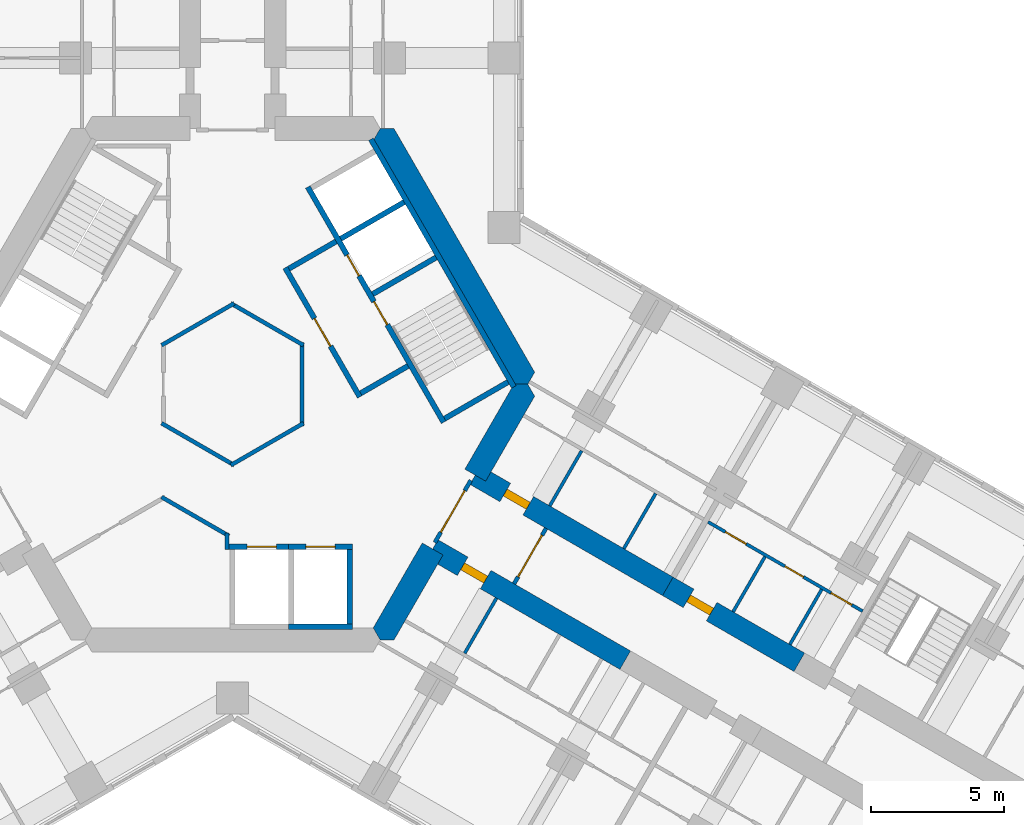
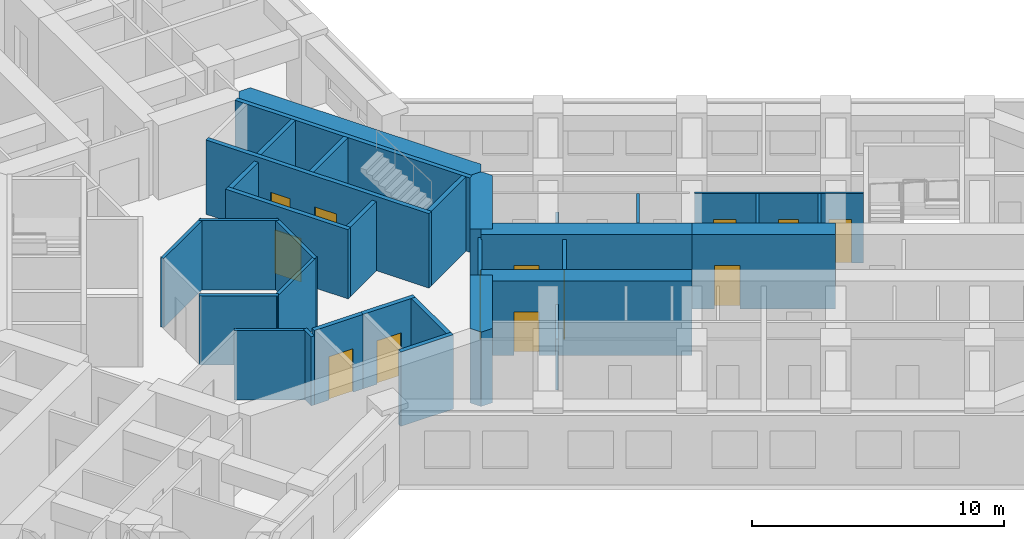
# One storey, part 15 of 20: 33 walls, 13 doors, 13 openings.
"""IFC4 building model written with IfcOpenShell, lengths in metres."""

from ifc_helpers import new_model, si_unit, direction, frame, frame_2d, origin, place, context, subcontext, project, spatial, polyline, rectangle, outline, extrude, material, layer, layer_set, type_object, element, fill, save


model = new_model("IFC4")

# Units and contexts
model_context = context("Model", 3, precision=1e-05, world=origin(), true_north=direction((0.0, 1.0)))
body_context = subcontext(model_context, "Body", "Model", "MODEL_VIEW")
ifc_project = project(units=[si_unit("LENGTHUNIT", "METRE"), si_unit("AREAUNIT", "SQUARE_METRE"), si_unit("VOLUMEUNIT", "CUBIC_METRE"), si_unit("PLANEANGLEUNIT", "RADIAN"), si_unit("MASSUNIT", "GRAM", prefix="KILO")], contexts=[model_context])

# Site, building, storey
site_placement = place(None, origin())
site = spatial("IfcSite", under=ifc_project, at=site_placement, CompositionType="ELEMENT")
building_placement = place(site_placement, origin())
building = spatial("IfcBuilding", under=site, at=building_placement, Name="Kosmar Iwan School Tower", CompositionType="ELEMENT")
storey_placement = place(building_placement, frame((0.0, 0.0, 123.800048828125)))
storey = spatial("IfcBuildingStorey", under=building, at=storey_placement, Name="L30", CompositionType="ELEMENT", Elevation=123.800048828125)

# Walls
ifc_material_1 = material(Name="Gypsum board on steel studs, fire-rated", Category="steel")
ifc_layer_1 = layer(ifc_material_1, 0.14990234375)
ifc_layer_set_1 = layer_set([ifc_layer_1], Name="Core room partition 150")
wall_type_1 = type_object("IfcWallType", Name="Core room partition 150", PredefinedType="PARTITIONING", material=ifc_layer_set_1)
wall_1_placement = place(storey_placement, frame((-2.6650390625, -4.23486328125, 0.0), z_axis=(0.0, 0.0, 1.0), x_axis=(0.866028329077, -0.499994933211, 0.0)))
element("IfcWall", 1, at=wall_1_placement, inside=storey, type_object=wall_type_1, Name="Core room partition L30-CW6", PredefinedType="PARTITIONING", context=body_context, shape_type="SweptSolid", body=[
    extrude(rectangle(XDim=2.92138671875, YDim=0.14990234375, at=frame_2d((1.460693359375, 0.0))), origin(), (0.0, 0.0, 1.0), 3.349853515625),
])
wall_2_placement = place(storey_placement, frame((-0.199951171875, -5.5830078125, 0.0), z_axis=(0.0, 0.0, 1.0), x_axis=(0.0, -1.0, 0.0)))
element("IfcWall", 2, at=wall_2_placement, inside=storey, type_object=wall_type_1, Name="Core room partition L30-CW7", PredefinedType="PARTITIONING", context=body_context, shape_type="SweptSolid", body=[
    extrude(rectangle(XDim=0.616943359375, YDim=0.14990234375, at=frame_2d((0.30859375, 0.0))), origin(), (0.0, 0.0, 1.0), 3.349853515625),
])
for number, where, z_axis, x_axis, name in (
    (3, (2.6650390625, -1.463623046875, 0.0), (0.0, 0.0, 1.0), (-0.866023080072, -0.500004024767, 0.0), "Core room partition L30-CW8"),
    (4, (0.06494140625, -3.039794921875, 0.0), (0.0, 0.0, 1.0), (-0.866023080072, 0.500004024767, 0.0), "Core room partition L30-CW9"),
    (5, (-2.6650390625, 1.463623046875, 0.0), (0.0, 0.0, 1.0), (0.866023080072, 0.500004024767, 0.0), "Core room partition L30-CW11"),
    (6, (-0.06494140625, 3.039794921875, 0.0), (0.0, 0.0, 1.0), (0.866023080072, -0.500004024767, 0.0), "Core room partition L30-CW12"),
    (7, (2.60009765625, 1.576171875, 0.0), (0.0, 0.0, 1.0), (0.0, -1.0, 0.0), "Core room partition L30-CW13"),
):
    element("IfcWall", number, at=place(storey_placement, frame(where, z_axis=z_axis, x_axis=x_axis)), inside=storey, type_object=wall_type_1, Name=name, PredefinedType="PARTITIONING", context=body_context, shape_type="SweptSolid", body=[
        extrude(rectangle(XDim=3.15234375, YDim=0.14990234375, at=frame_2d((1.576171875, 0.0))), origin(), (0.0, 0.0, 1.0), 3.349853515625),
    ])
ifc_material_2 = material(Name="Concrete C50/60", Category="concrete")
ifc_layer_2 = layer(ifc_material_2, 0.89990234375)
ifc_layer_set_2 = layer_set([ifc_layer_2], Name="Core wall 900")
wall_type_2 = type_object("IfcWallType", Name="Core wall 900", PredefinedType="SHEAR", material=ifc_layer_set_2)
wall_3_placement = place(storey_placement, origin())
element("IfcWall", 8, at=wall_3_placement, inside=storey, type_object=wall_type_2, Name="Core wall F030", PredefinedType="SHEAR", context=body_context, shape_type="SweptSolid", body=[
    extrude(outline(polyline([(10.5654296875, 0.0), (11.085205078125, 0.0), (11.344970703125, 0.449951171875), (6.062255859375, 9.60009765625), (5.54248046875, 9.60009765625), (5.28271484375, 9.14990234375), (10.5654296875, 0.0)])), origin(), (0.0, 0.0, 1.0), 3.599853515625),
])
wall_4_placement = place(storey_placement, origin())
element("IfcWall", 9, at=wall_4_placement, inside=storey, type_object=wall_type_2, Name="Core wall F330a", PredefinedType="SHEAR", context=body_context, shape_type="SweptSolid", body=[
    extrude(outline(polyline([(5.54248046875, -9.60009765625), (6.062255859375, -9.60009765625), (7.903564453125, -6.41064453125), (7.1240234375, -5.960693359375), (5.28271484375, -9.14990234375), (5.54248046875, -9.60009765625)])), origin(), (0.0, 0.0, 1.0), 3.599853515625),
])
wall_5_placement = place(storey_placement, origin())
element("IfcWall", 10, at=wall_5_placement, inside=storey, type_object=wall_type_2, Name="Core wall F330b", PredefinedType="SHEAR", context=body_context, shape_type="SweptSolid", body=[
    extrude(outline(polyline([(9.503662109375, -3.639404296875), (11.344970703125, -0.449951171875), (11.085205078125, 0.0), (10.5654296875, 0.0), (8.72412109375, -3.189453125), (9.503662109375, -3.639404296875)])), origin(), (0.0, 0.0, 1.0), 3.599853515625),
])

# Wall, opening, door
ifc_material_3 = material(Name="Concrete C50/60", Category="concrete")
ifc_layer_3 = layer(ifc_material_3, 0.800048828125)
ifc_layer_set_3 = layer_set([ifc_layer_3], Name="Corridor buttress wall 800")
wall_type_3 = type_object("IfcWallType", Name="Corridor buttress wall 800", PredefinedType="SHEAR", material=ifc_layer_set_3)
wall_6_placement = place(storey_placement, frame((9.11376953125, -3.414306640625, 0.0), z_axis=(0.0, 0.0, 1.0), x_axis=(0.866026859388, -0.499997478812, 0.0)))
wall_6 = element("IfcWall", 11, at=wall_6_placement, inside=storey, type_object=wall_type_3, Name="Corridor wall CL", PredefinedType="SHEAR", context=body_context, shape_type="SweptSolid", body=[
    extrude(rectangle(XDim=8.35009765625, YDim=0.800048828125, at=frame_2d((4.175048828125, 0.0))), origin(), (0.0, 0.0, 1.0), 3.599853515625),
])
opening_1_placement = place(wall_6_placement, frame((1.300048828125, 0.0, 0.0)))
opening_1 = element("IfcOpeningElement", 12, at=opening_1_placement, cuts=wall_6, Name="Opening D1", PredefinedType="OPENING", context=body_context, shape_type="SweptSolid", body=[
    extrude(rectangle(XDim=1.0, YDim=2.10009765625, at=frame_2d((0.5, 1.050048828125))), frame((0.0, 0.412109375, 0.0), z_axis=(0.0, -1.0, 0.0), x_axis=(1.0, 0.0, 0.0)), (0.0, 0.0, 1.0), 0.823974609375),
])
ifc_material_4 = material(Name="Timber fire door in steel frame", Category="steel")
door_type_1 = type_object("IfcDoorType", Name="Flat entrance door 1000x2100", OperationType="SINGLE_SWING_LEFT", PredefinedType="DOOR", material=ifc_material_4)
door_1_placement = place(opening_1_placement, origin())
door_1 = element("IfcDoor", 13, at=door_1_placement, inside=storey, type_object=door_type_1, Name="Flat L30-CL1 entrance door", OperationType="SINGLE_SWING_RIGHT", OverallHeight=2.10009765625, OverallWidth=1.0, PredefinedType="DOOR", context=body_context, shape_type="SweptSolid", body=[
    extrude(rectangle(XDim=1.0, YDim=2.10009765625, at=frame_2d((0.5, 1.050048828125))), frame((0.0, 0.14990234375, 0.0), z_axis=(0.0, -1.0, 0.0), x_axis=(1.0, 0.0, 0.0)), (0.0, 0.0, 1.0), 0.300048828125),
])
fill(opening_1, door_1)

wall_7_placement = place(storey_placement, frame((16.34521484375, -7.58935546875, 0.0), z_axis=(0.0, 0.0, 1.0), x_axis=(0.866015111908, -0.50001782563, 0.0)))
wall_7 = element("IfcWall", 14, at=wall_7_placement, inside=storey, type_object=wall_type_3, Name="Corridor wall CL bay 2", PredefinedType="SHEAR", context=body_context, shape_type="SweptSolid", body=[
    extrude(rectangle(XDim=5.699951171875, YDim=0.800048828125, at=frame_2d((2.85009765625, 0.0))), origin(), (0.0, 0.0, 1.0), 3.599853515625),
])
opening_2_placement = place(wall_7_placement, frame((0.89990234375, 0.0, 0.0)))
opening_2 = element("IfcOpeningElement", 15, at=opening_2_placement, cuts=wall_7, Name="Opening D1", PredefinedType="OPENING", context=body_context, shape_type="SweptSolid", body=[
    extrude(rectangle(XDim=1.0, YDim=2.10009765625, at=frame_2d((0.5, 1.050048828125))), frame((0.0, 0.412109375, 0.0), z_axis=(0.0, -1.0, 0.0), x_axis=(1.0, 0.0, 0.0)), (0.0, 0.0, 1.0), 0.823974609375),
])
door_2_placement = place(opening_2_placement, origin())
door_2 = element("IfcDoor", 16, at=door_2_placement, inside=storey, type_object=door_type_1, Name="Flat L30-CL2 entrance door", OperationType="SINGLE_SWING_RIGHT", OverallHeight=2.10009765625, OverallWidth=1.0, PredefinedType="DOOR", context=body_context, shape_type="SweptSolid", body=[
    extrude(rectangle(XDim=1.0, YDim=2.10009765625, at=frame_2d((0.5, 1.050048828125))), frame((0.0, 0.14990234375, 0.0), z_axis=(0.0, -1.0, 0.0), x_axis=(1.0, 0.0, 0.0)), (0.0, 0.0, 1.0), 0.300048828125),
])
fill(opening_2, door_2)

wall_8_placement = place(storey_placement, frame((7.513916015625, -6.185546875, 0.0), z_axis=(0.0, 0.0, 1.0), x_axis=(0.866019549707, -0.500010139422, 0.0)))
wall_8 = element("IfcWall", 17, at=wall_8_placement, inside=storey, type_object=wall_type_3, Name="Corridor wall CR", PredefinedType="SHEAR", context=body_context, shape_type="SweptSolid", body=[
    extrude(rectangle(XDim=8.349853515625, YDim=0.800048828125, at=frame_2d((4.1748046875, 0.0))), origin(), (0.0, 0.0, 1.0), 3.599853515625),
])
opening_3_placement = place(wall_8_placement, frame((1.300048828125, 0.0, 0.0)))
opening_3 = element("IfcOpeningElement", 18, at=opening_3_placement, cuts=wall_8, Name="Opening D1", PredefinedType="OPENING", context=body_context, shape_type="SweptSolid", body=[
    extrude(rectangle(XDim=1.0, YDim=2.10009765625, at=frame_2d((0.5, 1.050048828125))), frame((0.0, 0.412109375, 0.0), z_axis=(0.0, -1.0, 0.0), x_axis=(1.0, 0.0, 0.0)), (0.0, 0.0, 1.0), 0.823974609375),
])
door_3_placement = place(opening_3_placement, origin())
door_3 = element("IfcDoor", 19, at=door_3_placement, inside=storey, type_object=door_type_1, Name="Flat L30-CR1 entrance door", OperationType="SINGLE_SWING_RIGHT", OverallHeight=2.10009765625, OverallWidth=1.0, PredefinedType="DOOR", context=body_context, shape_type="SweptSolid", body=[
    extrude(rectangle(XDim=1.0, YDim=2.10009765625, at=frame_2d((0.5, 1.050048828125))), frame((0.0, 0.14990234375, 0.0), z_axis=(0.0, -1.0, 0.0), x_axis=(1.0, 0.0, 0.0)), (0.0, 0.0, 1.0), 0.300048828125),
])
fill(opening_3, door_3)

ifc_material_5 = material(Name="Gypsum board on steel studs, fire-rated", Category="steel")
ifc_layer_4 = layer(ifc_material_5, 0.14990234375)
ifc_layer_set_4 = layer_set([ifc_layer_4], Name="Corridor end wall 150")
wall_type_4 = type_object("IfcWallType", Name="Corridor end wall 150", PredefinedType="PARTITIONING", material=ifc_layer_set_4)
wall_9_placement = place(storey_placement, frame((10.57177734375, -7.4892578125, 0.0), z_axis=(0.0, 0.0, 1.0), x_axis=(0.499957262057, 0.866050077142, 0.0)))
wall_9 = element("IfcWall", 20, at=wall_9_placement, inside=storey, type_object=wall_type_4, Name="Partition L30-C-HW", PredefinedType="PARTITIONING", context=body_context, shape_type="SweptSolid", body=[
    extrude(rectangle(XDim=2.400146484375, YDim=0.14990234375, at=frame_2d((1.2001953125, 0.0))), origin(), (0.0, 0.0, 1.0), 3.349853515625),
])
opening_4_placement = place(wall_9_placement, frame((0.300048828125, 0.0, 0.0)))
opening_4 = element("IfcOpeningElement", 21, at=opening_4_placement, cuts=wall_9, Name="Opening D9", PredefinedType="OPENING", context=body_context, shape_type="SweptSolid", body=[
    extrude(rectangle(XDim=1.800048828125, YDim=2.10009765625, at=frame_2d((0.89990234375, 1.050048828125))), frame((0.0, 0.0869140625, 0.0), z_axis=(0.0, -1.0, 0.0), x_axis=(1.0, 0.0, 0.0)), (0.0, 0.0, 1.0), 0.173828125),
])
ifc_material_6 = material(Name="Steel framed glazed smoke door", Category="steel")
door_type_2 = type_object("IfcDoorType", Name="Corridor smoke door pair 1800x2100", OperationType="DOUBLE_DOOR_DOUBLE_SWING", PredefinedType="DOOR", material=ifc_material_6)
door_4_placement = place(opening_4_placement, origin())
door_4 = element("IfcDoor", 22, at=door_4_placement, inside=storey, type_object=door_type_2, Name="Hashti vestibule smoke doors L30-C", OperationType="DOUBLE_DOOR_DOUBLE_SWING", OverallHeight=2.10009765625, OverallWidth=1.800048828125, PredefinedType="DOOR", context=body_context, shape_type="SweptSolid", body=[
    extrude(rectangle(XDim=1.800048828125, YDim=2.10009765625, at=frame_2d((0.89990234375, 1.050048828125))), frame((0.0, 0.02490234375, 0.0), z_axis=(0.0, -1.0, 0.0), x_axis=(1.0, 0.0, 0.0)), (0.0, 0.0, 1.0), 0.050048828125),
])
fill(opening_4, door_4)

ifc_material_7 = material(Name="Steel framed glazed screen", Category="steel")
ifc_layer_5 = layer(ifc_material_7, 0.14990234375)
ifc_layer_set_5 = layer_set([ifc_layer_5], Name="Corridor screen wall 150")
wall_type_5 = type_object("IfcWallType", Name="Corridor screen wall 150", PredefinedType="PARTITIONING", material=ifc_layer_set_5)
wall_10_placement = place(storey_placement, frame((7.595458984375, -5.944091796875, 0.0), z_axis=(0.0, 0.0, 1.0), x_axis=(0.500048589285, 0.86599734893, 0.0)))
wall_10 = element("IfcWall", 23, at=wall_10_placement, inside=storey, type_object=wall_type_5, Name="Corridor screen C L30", PredefinedType="PARTITIONING", context=body_context, shape_type="SweptSolid", body=[
    extrude(rectangle(XDim=2.699951171875, YDim=0.14990234375, at=frame_2d((1.35009765625, 0.0))), origin(), (0.0, 0.0, 1.0), 3.349853515625),
])
opening_5_placement = place(wall_10_placement, frame((0.449951171875, 0.0, 0.0)))
opening_5 = element("IfcOpeningElement", 24, at=opening_5_placement, cuts=wall_10, Name="Opening D9", PredefinedType="OPENING", context=body_context, shape_type="SweptSolid", body=[
    extrude(rectangle(XDim=1.800048828125, YDim=2.10009765625, at=frame_2d((0.89990234375, 1.050048828125))), frame((0.0, 0.0869140625, 0.0), z_axis=(0.0, -1.0, 0.0), x_axis=(1.0, 0.0, 0.0)), (0.0, 0.0, 1.0), 0.173828125),
])
door_5_placement = place(opening_5_placement, origin())
door_5 = element("IfcDoor", 25, at=door_5_placement, inside=storey, type_object=door_type_2, Name="Corridor doors C L30", OperationType="DOUBLE_DOOR_DOUBLE_SWING", OverallHeight=2.10009765625, OverallWidth=1.800048828125, PredefinedType="DOOR", context=body_context, shape_type="SweptSolid", body=[
    extrude(rectangle(XDim=1.800048828125, YDim=2.10009765625, at=frame_2d((0.89990234375, 1.050048828125))), frame((0.0, 0.02490234375, 0.0), z_axis=(0.0, -1.0, 0.0), x_axis=(1.0, 0.0, 0.0)), (0.0, 0.0, 1.0), 0.050048828125),
])
fill(opening_5, door_5)

# Walls
ifc_material_8 = material(Name="Gypsum board on steel studs", Category="steel")
ifc_layer_6 = layer(ifc_material_8, 0.1201171875)
ifc_layer_set_6 = layer_set([ifc_layer_6], Name="Dwelling partition 120")
wall_type_6 = type_object("IfcWallType", Name="Dwelling partition 120", PredefinedType="PARTITIONING", material=ifc_layer_set_6)
wall_11_placement = place(storey_placement, frame((11.911865234375, -4.56787109375, 0.0), z_axis=(0.0, 0.0, 1.0), x_axis=(0.500017192868, 0.86601547725, 0.0)))
element("IfcWall", 26, at=wall_11_placement, inside=storey, type_object=wall_type_6, Name="Partition L30-CL1-Y1", PredefinedType="PARTITIONING", context=body_context, shape_type="SweptSolid", body=[
    extrude(rectangle(XDim=2.39013671875, YDim=0.1201171875, at=frame_2d((1.195068359375, 0.0))), origin(), (0.0, 0.0, 1.0), 2.449951171875),
])
wall_12_placement = place(storey_placement, frame((14.69189453125, -6.1728515625, 0.0), z_axis=(0.0, 0.0, 1.0), x_axis=(0.500017192868, 0.86601547725, 0.0)))
element("IfcWall", 27, at=wall_12_placement, inside=storey, type_object=wall_type_6, Name="Partition L30-CL1-Y2", PredefinedType="PARTITIONING", context=body_context, shape_type="SweptSolid", body=[
    extrude(rectangle(XDim=2.39013671875, YDim=0.1201171875, at=frame_2d((1.195068359375, 0.0))), origin(), (0.0, 0.0, 1.0), 3.349853515625),
])

# Wall, openings, doors
wall_13_placement = place(storey_placement, frame((17.856689453125, -5.171142578125, 0.0), z_axis=(0.0, 0.0, 1.0), x_axis=(0.866023571113, -0.500003174267, 0.0)))
wall_13 = element("IfcWall", 28, at=wall_13_placement, inside=storey, type_object=wall_type_6, Name="Partition L30-CL2-W1", PredefinedType="PARTITIONING", context=body_context, shape_type="SweptSolid", body=[
    extrude(rectangle(XDim=6.7001953125, YDim=0.1201171875, at=frame_2d((3.35009765625, 0.0))), origin(), (0.0, 0.0, 1.0), 3.349853515625),
])
opening_6_placement = place(wall_13_placement, frame((0.75, 0.0, 0.0)))
opening_6 = element("IfcOpeningElement", 29, at=opening_6_placement, cuts=wall_13, Name="Opening D2", PredefinedType="OPENING", context=body_context, shape_type="SweptSolid", body=[
    extrude(rectangle(XDim=0.89990234375, YDim=2.10009765625, at=frame_2d((0.449951171875, 1.050048828125))), frame((0.0, 0.072021484375, 0.0), z_axis=(0.0, -1.0, 0.0), x_axis=(1.0, 0.0, 0.0)), (0.0, 0.0, 1.0), 0.14404296875),
])
opening_7_placement = place(wall_13_placement, frame((3.330078125, 0.0, 0.0)))
opening_7 = element("IfcOpeningElement", 30, at=opening_7_placement, cuts=wall_13, Name="Opening D3", PredefinedType="OPENING", context=body_context, shape_type="SweptSolid", body=[
    extrude(rectangle(XDim=0.800048828125, YDim=2.10009765625, at=frame_2d((0.39990234375, 1.050048828125))), frame((0.0, 0.072021484375, 0.0), z_axis=(0.0, -1.0, 0.0), x_axis=(1.0, 0.0, 0.0)), (0.0, 0.0, 1.0), 0.14404296875),
])
opening_8_placement = place(wall_13_placement, frame((5.330078125, 0.0, 0.0)))
opening_8 = element("IfcOpeningElement", 31, at=opening_8_placement, cuts=wall_13, Name="Opening D2", PredefinedType="OPENING", context=body_context, shape_type="SweptSolid", body=[
    extrude(rectangle(XDim=0.89990234375, YDim=2.10009765625, at=frame_2d((0.449951171875, 1.050048828125))), frame((0.0, 0.072021484375, 0.0), z_axis=(0.0, -1.0, 0.0), x_axis=(1.0, 0.0, 0.0)), (0.0, 0.0, 1.0), 0.14404296875),
])
ifc_material_9 = material(Name="Timber door in timber frame", Category="wood")
door_type_3 = type_object("IfcDoorType", Name="Internal door 900x2100", OperationType="SINGLE_SWING_LEFT", PredefinedType="DOOR", material=ifc_material_9)
door_6_placement = place(opening_6_placement, origin())
door_6 = element("IfcDoor", 32, at=door_6_placement, inside=storey, type_object=door_type_3, Name="Entrance hall door L30-CL2-S1", OperationType="SINGLE_SWING_LEFT", OverallHeight=2.10009765625, OverallWidth=0.89990234375, PredefinedType="DOOR", context=body_context, shape_type="SweptSolid", body=[
    extrude(rectangle(XDim=0.89990234375, YDim=2.10009765625, at=frame_2d((0.449951171875, 1.050048828125))), frame((0.0, 0.02490234375, 0.0), z_axis=(0.0, -1.0, 0.0), x_axis=(1.0, 0.0, 0.0)), (0.0, 0.0, 1.0), 0.050048828125),
])
fill(opening_6, door_6)
door_7_placement = place(opening_8_placement, frame((0.89990234375, 0.0, 0.0), z_axis=(0.0, 0.0, 1.0), x_axis=(-1.0, 0.0, 0.0)))
door_7 = element("IfcDoor", 33, at=door_7_placement, inside=storey, type_object=door_type_3, Name="Pantry door L30-CL2-S3", OperationType="SINGLE_SWING_LEFT", OverallHeight=2.10009765625, OverallWidth=0.89990234375, PredefinedType="DOOR", context=body_context, shape_type="SweptSolid", body=[
    extrude(rectangle(XDim=0.89990234375, YDim=2.10009765625, at=frame_2d((0.449951171875, 1.050048828125))), frame((0.0, 0.02490234375, 0.0), z_axis=(0.0, -1.0, 0.0), x_axis=(1.0, 0.0, 0.0)), (0.0, 0.0, 1.0), 0.050048828125),
])
fill(opening_8, door_7)
ifc_material_10 = material(Name="Timber door in timber frame", Category="wood")
door_type_4 = type_object("IfcDoorType", Name="Sanitary room door 800x2100", OperationType="SINGLE_SWING_LEFT", PredefinedType="DOOR", material=ifc_material_10)
door_8_placement = place(opening_7_placement, origin())
door_8 = element("IfcDoor", 34, at=door_8_placement, inside=storey, type_object=door_type_4, Name="Bathroom door L30-CL2-S2", OperationType="SINGLE_SWING_RIGHT", OverallHeight=2.10009765625, OverallWidth=0.800048828125, PredefinedType="DOOR", context=body_context, shape_type="SweptSolid", body=[
    extrude(rectangle(XDim=0.800048828125, YDim=2.10009765625, at=frame_2d((0.39990234375, 1.050048828125))), frame((0.0, 0.02490234375, 0.0), z_axis=(0.0, -1.0, 0.0), x_axis=(1.0, 0.0, 0.0)), (0.0, 0.0, 1.0), 0.050048828125),
])
fill(opening_7, door_8)

# Walls
for number, where, z_axis, x_axis, name in (
    (35, (18.796875, -8.54296875, 0.0), (0.0, 0.0, 1.0), (0.500017192868, 0.86601547725, 0.0), "Partition L30-CL2-Y1"),
    (36, (20.92724609375, -9.77294921875, 0.0), (0.0, 0.0, 1.0), (0.500017192868, 0.86601547725, 0.0), "Partition L30-CL2-Y2"),
):
    element("IfcWall", number, at=place(storey_placement, frame(where, z_axis=z_axis, x_axis=x_axis)), inside=storey, type_object=wall_type_6, Name=name, PredefinedType="PARTITIONING", context=body_context, shape_type="SweptSolid", body=[
        extrude(rectangle(XDim=2.39013671875, YDim=0.1201171875, at=frame_2d((1.195068359375, 0.0))), origin(), (0.0, 0.0, 1.0), 3.349853515625),
    ])
wall_14_placement = place(storey_placement, frame((9.911865234375, -8.031982421875, 0.0), z_axis=(0.0, 0.0, 1.0), x_axis=(-0.500017192868, -0.86601547725, 0.0)))
element("IfcWall", 37, at=wall_14_placement, inside=storey, type_object=wall_type_6, Name="Partition L30-CR1-Y1", PredefinedType="PARTITIONING", context=body_context, shape_type="SweptSolid", body=[
    extrude(rectangle(XDim=2.39013671875, YDim=0.1201171875, at=frame_2d((1.195068359375, 0.0))), origin(), (0.0, 0.0, 1.0), 2.449951171875),
])

# Wall, opening, door
ifc_material_11 = material(Name="Concrete block masonry", Category="masonry")
ifc_layer_7 = layer(ifc_material_11, 0.199951171875)
ifc_layer_set_7 = layer_set([ifc_layer_7], Name="Fire lobby wall 200")
wall_type_7 = type_object("IfcWallType", Name="Fire lobby wall 200", PredefinedType="PARTITIONING", material=ifc_layer_set_7)
wall_15_placement = place(storey_placement, frame((4.777587890625, -0.474853515625, 0.0), z_axis=(0.0, 0.0, 1.0), x_axis=(-0.500016814911, 0.866015695474, 0.0)))
wall_15 = element("IfcWall", 38, at=wall_15_placement, inside=storey, type_object=wall_type_7, Name="Firefighting lobby wall ST1", PredefinedType="PARTITIONING", context=body_context, shape_type="SweptSolid", body=[
    extrude(rectangle(XDim=5.599853515625, YDim=0.199951171875, at=frame_2d((2.7998046875, 0.0))), origin(), (0.0, 0.0, 1.0), 3.349853515625),
])
opening_9_placement = place(wall_15_placement, frame((2.199951171875, 0.0, 0.0)))
opening_9 = element("IfcOpeningElement", 39, at=opening_9_placement, cuts=wall_15, Name="Opening D7", PredefinedType="OPENING", context=body_context, shape_type="SweptSolid", body=[
    extrude(rectangle(XDim=1.199951171875, YDim=2.10009765625, at=frame_2d((0.60009765625, 1.050048828125))), frame((0.0, 0.112060546875, 0.0), z_axis=(0.0, -1.0, 0.0), x_axis=(1.0, 0.0, 0.0)), (0.0, 0.0, 1.0), 0.223876953125),
])
ifc_material_12 = material(Name="Steel fire door", Category="steel")
door_type_5 = type_object("IfcDoorType", Name="Fire lobby door 1200x2100", OperationType="SINGLE_SWING_LEFT", PredefinedType="DOOR", material=ifc_material_12)
door_9_placement = place(opening_9_placement, frame((1.199951171875, 0.0, 0.0), z_axis=(0.0, 0.0, 1.0), x_axis=(-1.0, 0.0, 0.0)))
door_9 = element("IfcDoor", 40, at=door_9_placement, inside=storey, type_object=door_type_5, Name="Firefighting lobby door ST1 L30", OperationType="SINGLE_SWING_RIGHT", OverallHeight=2.10009765625, OverallWidth=1.199951171875, PredefinedType="DOOR", context=body_context, shape_type="SweptSolid", body=[
    extrude(rectangle(XDim=1.199951171875, YDim=2.10009765625, at=frame_2d((0.60009765625, 1.050048828125))), frame((0.0, 0.02490234375, 0.0), z_axis=(0.0, -1.0, 0.0), x_axis=(1.0, 0.0, 0.0)), (0.0, 0.0, 1.0), 0.050048828125),
])
fill(opening_9, door_9)

# Walls
wall_16_placement = place(storey_placement, frame((4.814208984375, -0.33837890625, 0.0), z_axis=(0.0, 0.0, 1.0), x_axis=(0.865969381856, 0.500097020274, 0.0)))
element("IfcWall", 41, at=wall_16_placement, inside=storey, type_object=wall_type_7, Name="Firefighting lobby wall ST1", PredefinedType="PARTITIONING", context=body_context, shape_type="SweptSolid", body=[
    extrude(rectangle(XDim=2.0498046875, YDim=0.199951171875, at=frame_2d((1.02490234375, 0.0))), origin(), (0.0, 0.0, 1.0), 3.349853515625),
])
wall_17_placement = place(storey_placement, frame((2.114013671875, 4.33837890625, 0.0), z_axis=(0.0, 0.0, 1.0), x_axis=(0.866050731258, 0.499956128963, 0.0)))
element("IfcWall", 42, at=wall_17_placement, inside=storey, type_object=wall_type_7, Name="Firefighting lobby wall ST1", PredefinedType="PARTITIONING", context=body_context, shape_type="SweptSolid", body=[
    extrude(rectangle(XDim=2.050048828125, YDim=0.199951171875, at=frame_2d((1.02490234375, 0.0))), origin(), (0.0, 0.0, 1.0), 3.349853515625),
])

# Wall, openings, doors
ifc_material_13 = material(Name="Concrete C50/60", Category="concrete")
ifc_layer_8 = layer(ifc_material_13, 0.199951171875)
ifc_layer_set_8 = layer_set([ifc_layer_8], Name="Lift shaft wall 200")
wall_type_8 = type_object("IfcWallType", Name="Lift shaft wall 200", PredefinedType="SHEAR", material=ifc_layer_set_8)
wall_18_placement = place(storey_placement, frame((7.926025390625, -1.42822265625, 0.0), z_axis=(0.0, 0.0, 1.0), x_axis=(-0.499998023675, 0.866026544813, 0.0)))
wall_18 = element("IfcWall", 43, at=wall_18_placement, inside=storey, type_object=wall_type_8, Name="Lift and stair front wall AC", PredefinedType="SHEAR", context=body_context, shape_type="SweptSolid", body=[
    extrude(rectangle(XDim=10.19970703125, YDim=0.199951171875, at=frame_2d((5.099853515625, 0.0))), origin(), (0.0, 0.0, 1.0), 3.599853515625),
])
opening_10_placement = place(wall_18_placement, frame((6.35009765625, 0.0, 0.0)))
opening_10 = element("IfcOpeningElement", 44, at=opening_10_placement, cuts=wall_18, Name="Opening LD2", PredefinedType="OPENING", context=body_context, shape_type="SweptSolid", body=[
    extrude(rectangle(XDim=0.89990234375, YDim=2.10009765625, at=frame_2d((0.449951171875, 1.050048828125))), frame((0.0, 0.112060546875, 0.0), z_axis=(0.0, -1.0, 0.0), x_axis=(1.0, 0.0, 0.0)), (0.0, 0.0, 1.0), 0.223876953125),
])
opening_11_placement = place(wall_18_placement, frame((4.22998046875, 0.0, 0.0)))
opening_11 = element("IfcOpeningElement", 45, at=opening_11_placement, cuts=wall_18, Name="Opening D6", PredefinedType="OPENING", context=body_context, shape_type="SweptSolid", body=[
    extrude(rectangle(XDim=1.0, YDim=2.10009765625, at=frame_2d((0.5, 1.050048828125))), frame((0.0, 0.112060546875, 0.0), z_axis=(0.0, -1.0, 0.0), x_axis=(1.0, 0.0, 0.0)), (0.0, 0.0, 1.0), 0.223876953125),
])
ifc_material_14 = material(Name="Stainless steel sliding lift door", Category="steel")
door_type_6 = type_object("IfcDoorType", Name="Firefighting lift landing door 900x2100", OperationType="SLIDING_TO_LEFT", PredefinedType="DOOR", material=ifc_material_14)
door_10_placement = place(opening_10_placement, origin())
door_10 = element("IfcDoor", 46, at=door_10_placement, inside=storey, type_object=door_type_6, Name="Lift FF1 landing door L30", OperationType="SLIDING_TO_LEFT", OverallHeight=2.10009765625, OverallWidth=0.89990234375, PredefinedType="DOOR", context=body_context, shape_type="SweptSolid", body=[
    extrude(rectangle(XDim=0.89990234375, YDim=2.10009765625, at=frame_2d((0.449951171875, 1.050048828125))), frame((0.0, 0.02490234375, 0.0), z_axis=(0.0, -1.0, 0.0), x_axis=(1.0, 0.0, 0.0)), (0.0, 0.0, 1.0), 0.050048828125),
])
fill(opening_10, door_10)
ifc_material_15 = material(Name="Steel fire door", Category="steel")
door_type_7 = type_object("IfcDoorType", Name="Stair door 1000x2100", OperationType="SINGLE_SWING_LEFT", PredefinedType="DOOR", material=ifc_material_15)
door_11_placement = place(opening_11_placement, origin())
door_11 = element("IfcDoor", 47, at=door_11_placement, inside=storey, type_object=door_type_7, Name="Stair ST1 door L30", OperationType="SINGLE_SWING_LEFT", OverallHeight=2.10009765625, OverallWidth=1.0, PredefinedType="DOOR", context=body_context, shape_type="SweptSolid", body=[
    extrude(rectangle(XDim=1.0, YDim=2.10009765625, at=frame_2d((0.5, 1.050048828125))), frame((0.0, 0.02490234375, 0.0), z_axis=(0.0, -1.0, 0.0), x_axis=(1.0, 0.0, 0.0)), (0.0, 0.0, 1.0), 0.050048828125),
])
fill(opening_11, door_11)

# Walls
wall_19_placement = place(storey_placement, frame((10.5654296875, -0.10009765625, 0.0), z_axis=(0.0, 0.0, 1.0), x_axis=(-0.499999935134, 0.866025441235, 0.0)))
element("IfcWall", 48, at=wall_19_placement, inside=storey, type_object=wall_type_8, Name="Lift and stair back wall AC", PredefinedType="SHEAR", context=body_context, shape_type="SweptSolid", body=[
    extrude(rectangle(XDim=10.73876953125, YDim=0.199951171875, at=frame_2d((5.369384765625, 0.0))), origin(), (0.0, 0.0, 1.0), 3.599853515625),
])
wall_20_placement = place(storey_placement, frame((4.062744140625, 5.46337890625, 0.0), z_axis=(0.0, 0.0, 1.0), x_axis=(0.866027397988, 0.499996545922, 0.0)))
element("IfcWall", 49, at=wall_20_placement, inside=storey, type_object=wall_type_8, Name="Lift shaft wall AC 1", PredefinedType="SHEAR", context=body_context, shape_type="SweptSolid", body=[
    extrude(rectangle(XDim=2.75, YDim=0.199951171875, at=frame_2d((1.375, 0.0))), origin(), (0.0, 0.0, 1.0), 3.599853515625),
])

# Wall, opening, door
wall_21_placement = place(storey_placement, frame((-0.125, -6.10009765625, 0.0), z_axis=(0.0, 0.0, 1.0), x_axis=(1.0, 0.0, 0.0)))
wall_21 = element("IfcWall", 50, at=wall_21_placement, inside=storey, type_object=wall_type_8, Name="Lift and stair front wall BC", PredefinedType="SHEAR", context=body_context, shape_type="SweptSolid", body=[
    extrude(rectangle(XDim=2.22509765625, YDim=0.199951171875, at=frame_2d((1.112548828125, 0.0))), origin(), (0.0, 0.0, 1.0), 3.599853515625),
])
opening_12_placement = place(wall_21_placement, frame((0.675048828125, 0.0, 0.0)))
opening_12 = element("IfcOpeningElement", 51, at=opening_12_placement, cuts=wall_21, Name="Opening LD1", PredefinedType="OPENING", context=body_context, shape_type="SweptSolid", body=[
    extrude(rectangle(XDim=1.10009765625, YDim=2.10009765625, at=frame_2d((0.550048828125, 1.050048828125))), frame((0.0, 0.112060546875, 0.0), z_axis=(0.0, -1.0, 0.0), x_axis=(1.0, 0.0, 0.0)), (0.0, 0.0, 1.0), 0.223876953125),
])
ifc_material_16 = material(Name="Stainless steel sliding lift door", Category="steel")
door_type_8 = type_object("IfcDoorType", Name="Lift landing door 1100x2100", OperationType="SLIDING_TO_LEFT", PredefinedType="DOOR", material=ifc_material_16)
door_12_placement = place(opening_12_placement, origin())
door_12 = element("IfcDoor", 52, at=door_12_placement, inside=storey, type_object=door_type_8, Name="Lift PL3 landing door L30", OperationType="SLIDING_TO_LEFT", OverallHeight=2.10009765625, OverallWidth=1.10009765625, PredefinedType="DOOR", context=body_context, shape_type="SweptSolid", body=[
    extrude(rectangle(XDim=1.10009765625, YDim=2.10009765625, at=frame_2d((0.550048828125, 1.050048828125))), frame((0.0, 0.02490234375, 0.0), z_axis=(0.0, -1.0, 0.0), x_axis=(1.0, 0.0, 0.0)), (0.0, 0.0, 1.0), 0.050048828125),
])
fill(opening_12, door_12)

wall_22_placement = place(storey_placement, frame((2.10009765625, -6.10009765625, 0.0), z_axis=(0.0, 0.0, 1.0), x_axis=(1.0, 0.0, 0.0)))
wall_22 = element("IfcWall", 53, at=wall_22_placement, inside=storey, type_object=wall_type_8, Name="Lift and stair front wall BC", PredefinedType="SHEAR", context=body_context, shape_type="SweptSolid", body=[
    extrude(rectangle(XDim=2.39990234375, YDim=0.199951171875, at=frame_2d((1.199951171875, 0.0))), origin(), (0.0, 0.0, 1.0), 3.599853515625),
])
opening_13_placement = place(wall_22_placement, frame((0.64990234375, 0.0, 0.0)))
opening_13 = element("IfcOpeningElement", 54, at=opening_13_placement, cuts=wall_22, Name="Opening LD1", PredefinedType="OPENING", context=body_context, shape_type="SweptSolid", body=[
    extrude(rectangle(XDim=1.10009765625, YDim=2.10009765625, at=frame_2d((0.550048828125, 1.050048828125))), frame((0.0, 0.112060546875, 0.0), z_axis=(0.0, -1.0, 0.0), x_axis=(1.0, 0.0, 0.0)), (0.0, 0.0, 1.0), 0.223876953125),
])
door_13_placement = place(opening_13_placement, origin())
door_13 = element("IfcDoor", 55, at=door_13_placement, inside=storey, type_object=door_type_8, Name="Lift PL4 landing door L30", OperationType="SLIDING_TO_LEFT", OverallHeight=2.10009765625, OverallWidth=1.10009765625, PredefinedType="DOOR", context=body_context, shape_type="SweptSolid", body=[
    extrude(rectangle(XDim=1.10009765625, YDim=2.10009765625, at=frame_2d((0.550048828125, 1.050048828125))), frame((0.0, 0.02490234375, 0.0), z_axis=(0.0, -1.0, 0.0), x_axis=(1.0, 0.0, 0.0)), (0.0, 0.0, 1.0), 0.050048828125),
])
fill(opening_13, door_13)

# Walls
wall_23_placement = place(storey_placement, frame((2.10009765625, -9.10009765625, 0.0), z_axis=(0.0, 0.0, 1.0), x_axis=(1.0, 0.0, 0.0)))
element("IfcWall", 56, at=wall_23_placement, inside=storey, type_object=wall_type_8, Name="Lift and stair back wall BC", PredefinedType="SHEAR", context=body_context, shape_type="SweptSolid", body=[
    extrude(rectangle(XDim=2.39990234375, YDim=0.199951171875, at=frame_2d((1.199951171875, 0.0))), origin(), (0.0, 0.0, 1.0), 3.599853515625),
])
wall_24_placement = place(storey_placement, frame((4.39990234375, -6.199951171875, 0.0), z_axis=(0.0, 0.0, 1.0), x_axis=(0.0, -1.0, 0.0)))
element("IfcWall", 57, at=wall_24_placement, inside=storey, type_object=wall_type_8, Name="Lift shaft wall BC 2", PredefinedType="SHEAR", context=body_context, shape_type="SweptSolid", body=[
    extrude(rectangle(XDim=2.800048828125, YDim=0.199951171875, at=frame_2d((1.39990234375, 0.0))), origin(), (0.0, 0.0, 1.0), 3.599853515625),
])
ifc_material_17 = material(Name="Concrete C50/60", Category="concrete")
ifc_layer_9 = layer(ifc_material_17, 0.199951171875)
ifc_layer_set_9 = layer_set([ifc_layer_9], Name="Stair enclosure wall 200")
wall_type_9 = type_object("IfcWallType", Name="Stair enclosure wall 200", PredefinedType="SHEAR", material=ifc_layer_set_9)
for number, where, z_axis, x_axis, name in (
    (58, (7.962646484375, -1.291748046875, 0.0), (0.0, 0.0, 1.0), (0.866027397988, 0.499996545922, 0.0), "Stair ST1 wall"),
    (59, (5.2626953125, 3.384765625, 0.0), (0.0, 0.0, 1.0), (0.866027397988, 0.499996545922, 0.0), "Stair ST1 wall"),
):
    element("IfcWall", number, at=place(storey_placement, frame(where, z_axis=z_axis, x_axis=x_axis)), inside=storey, type_object=wall_type_9, Name=name, PredefinedType="SHEAR", context=body_context, shape_type="SweptSolid", body=[
        extrude(rectangle(XDim=2.75, YDim=0.199951171875, at=frame_2d((1.375, 0.0))), origin(), (0.0, 0.0, 1.0), 3.599853515625),
    ])

save(model, "model.ifc")
